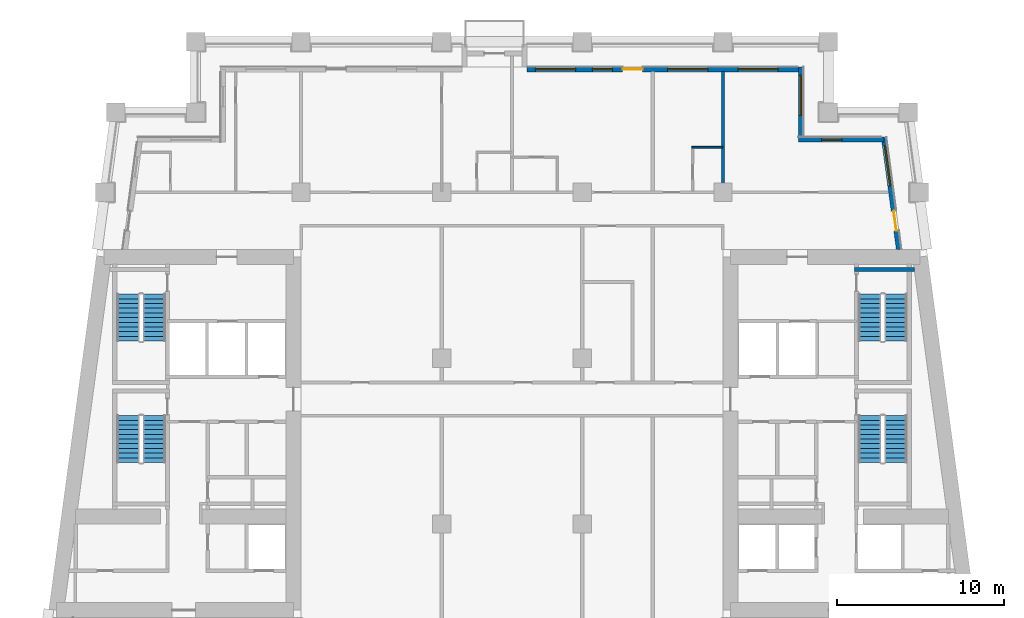
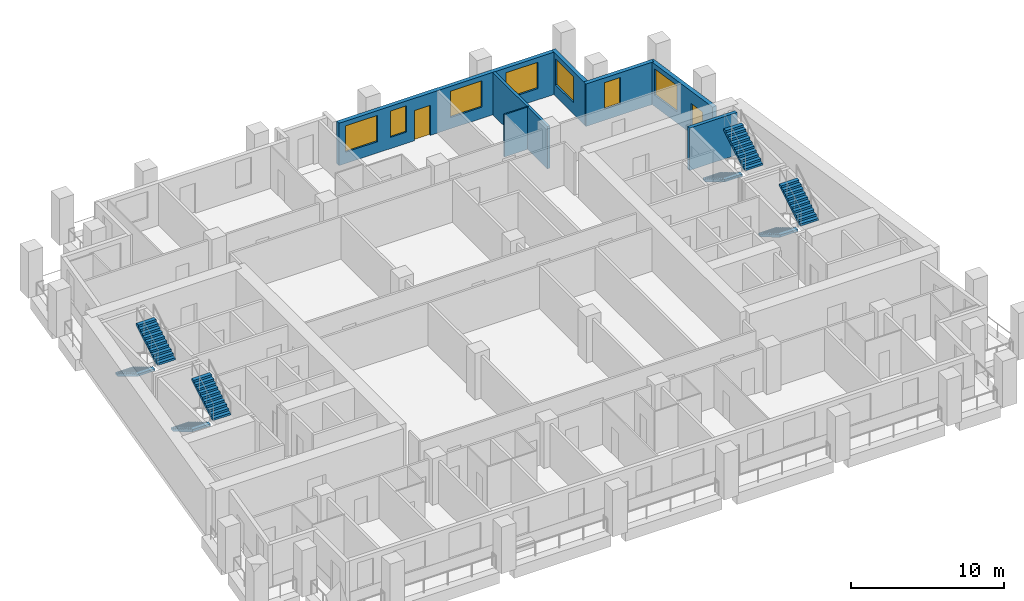
# One storey, part 8 of 13: 8 stair flights, 7 walls, 7 windows, 2 doors, 9 openings, 4 elements without a shape of their own.
"""IFC4 building model written with IfcOpenShell, lengths in metres."""

from ifc_helpers import new_model, si_unit, direction, frame, frame_2d, origin, place, context, subcontext, project, spatial, polyline, rectangle, outline, extrude, material, layer, layer_set, type_object, element, fill, aggregate, save


model = new_model("IFC4")

# Units and contexts
model_context = context("Model", 3, precision=1e-05, world=origin(), true_north=direction((0.0, 1.0)))
body_context = subcontext(model_context, "Body", "Model", "MODEL_VIEW")
ifc_project = project(units=[si_unit("LENGTHUNIT", "METRE"), si_unit("AREAUNIT", "SQUARE_METRE"), si_unit("VOLUMEUNIT", "CUBIC_METRE"), si_unit("PLANEANGLEUNIT", "RADIAN"), si_unit("MASSUNIT", "GRAM", prefix="KILO")], contexts=[model_context])

# Site, building, storey
site_placement = place(None, origin())
site = spatial("IfcSite", under=ifc_project, at=site_placement, CompositionType="ELEMENT")
building_placement = place(site_placement, origin())
building = spatial("IfcBuilding", under=site, at=building_placement, Name="Candeia Pilgrim Tower and Theatre", CompositionType="ELEMENT")
storey_placement = place(building_placement, frame((0.0, 0.0, 155.199951171875)))
storey = spatial("IfcBuildingStorey", under=building, at=storey_placement, Name="L36", CompositionType="ELEMENT", Elevation=155.199951171875)

# Wall, openings, door, window
ifc_material_1 = material(Name="Ceramic block masonry", Category="masonry")
ifc_layer_1 = layer(ifc_material_1, 0.300048828125)
ifc_layer_set_1 = layer_set([ifc_layer_1], Name="EW1 glazing-line wall 300")
wall_type_1 = type_object("IfcWallType", Name="EW1 glazing-line wall 300", PredefinedType="SOLIDWALL", material=ifc_layer_set_1)
wall_1_placement = place(storey_placement, frame((136.50439453125, 132.39990234375, 0.0), z_axis=(0.0, 0.0, 1.0), x_axis=(-0.133399697462, 0.99106231929, 0.0)))
wall_1 = element("IfcWall", 1, at=wall_1_placement, inside=storey, type_object=wall_type_1, Name="External wall L36-3.1", PredefinedType="SOLIDWALL", context=body_context, shape_type="SweptSolid", body=[
    extrude(rectangle(XDim=6.740478515625, YDim=0.300048828125, at=frame_2d((3.3701171875, 0.0))), origin(), (0.0, 0.0, 1.0), 3.380126953125),
])
opening_1_placement = place(wall_1_placement, frame((1.115234375, 0.0, 0.0)))
opening_1 = element("IfcOpeningElement", 2, at=opening_1_placement, cuts=wall_1, Name="Opening L36-ED347", PredefinedType="OPENING", context=body_context, shape_type="SweptSolid", body=[
    extrude(rectangle(XDim=1.199951171875, YDim=2.39990234375, at=frame_2d((0.60009765625, 1.199951171875))), frame((0.0, 0.16015625, 0.0), z_axis=(0.0, -1.0, 0.0), x_axis=(1.0, 0.0, 0.0)), (0.0, 0.0, 1.0), 0.320068359375),
])
opening_2_placement = place(wall_1_placement, frame((3.83544921875, 0.0, 0.89990234375)))
opening_2 = element("IfcOpeningElement", 3, at=opening_2_placement, cuts=wall_1, Name="Opening W-A", PredefinedType="OPENING", context=body_context, shape_type="SweptSolid", body=[
    extrude(rectangle(XDim=2.39990234375, YDim=2.10009765625, at=frame_2d((1.199951171875, 1.050048828125))), frame((0.0, 0.16015625, 0.0), z_axis=(0.0, -1.0, 0.0), x_axis=(1.0, 0.0, 0.0)), (0.0, 0.0, 1.0), 0.320068359375),
])
ifc_material_2 = material(Name="Aluminium framed glazed door", Category="aluminium")
door_type = type_object("IfcDoorType", Name="Loggia door 1200x2400", OperationType="DOUBLE_DOOR_SINGLE_SWING", PredefinedType="DOOR", material=ifc_material_2)
door_1_placement = place(opening_1_placement, origin())
door_1 = element("IfcDoor", 4, at=door_1_placement, inside=storey, type_object=door_type, Name="Loggia door L36-ED347", OperationType="DOUBLE_DOOR_SINGLE_SWING", OverallHeight=2.39990234375, OverallWidth=1.199951171875, PredefinedType="DOOR", context=body_context, shape_type="SweptSolid", body=[
    extrude(rectangle(XDim=1.199951171875, YDim=2.39990234375, at=frame_2d((0.60009765625, 1.199951171875))), frame((0.0, 0.02490234375, 0.0), z_axis=(0.0, -1.0, 0.0), x_axis=(1.0, 0.0, 0.0)), (0.0, 0.0, 1.0), 0.050048828125),
])
fill(opening_1, door_1)
ifc_material_3 = material(Name="Aluminium framed double glazing", Category="aluminium")
window_type_1 = type_object("IfcWindowType", Name="W-A window 2400x2100", PartitioningType="DOUBLE_PANEL_VERTICAL", PredefinedType="WINDOW", material=ifc_material_3)
window_1_placement = place(opening_2_placement, origin())
window_1 = element("IfcWindow", 5, at=window_1_placement, inside=storey, type_object=window_type_1, Name="Window W-A L36", OverallHeight=2.10009765625, OverallWidth=2.39990234375, PartitioningType="SINGLE_PANEL", PredefinedType="WINDOW", context=body_context, shape_type="SweptSolid", body=[
    extrude(rectangle(XDim=2.39990234375, YDim=2.10009765625, at=frame_2d((1.199951171875, 1.050048828125))), frame((0.0, 0.030029296875, 0.0), z_axis=(0.0, -1.0, 0.0), x_axis=(1.0, 0.0, 0.0)), (0.0, 0.0, 1.0), 0.06005859375),
])
fill(opening_2, window_1)

# Wall, opening, window
wall_2_placement = place(storey_placement, frame((135.62255859375, 138.949951171875, 0.0), z_axis=(0.0, 0.0, 1.0), x_axis=(-1.0, 0.0, 0.0)))
wall_2 = element("IfcWall", 6, at=wall_2_placement, inside=storey, type_object=wall_type_1, Name="External wall L36-4.0", PredefinedType="SOLIDWALL", context=body_context, shape_type="SweptSolid", body=[
    extrude(rectangle(XDim=5.12255859375, YDim=0.300048828125, at=frame_2d((2.561279296875, 0.0))), origin(), (0.0, 0.0, 1.0), 3.380126953125),
])
opening_3_placement = place(wall_2_placement, frame((2.522705078125, 0.0, 0.89990234375)))
opening_3 = element("IfcOpeningElement", 7, at=opening_3_placement, cuts=wall_2, Name="Opening W-B", PredefinedType="OPENING", context=body_context, shape_type="SweptSolid", body=[
    extrude(rectangle(XDim=1.199951171875, YDim=2.10009765625, at=frame_2d((0.60009765625, 1.050048828125))), frame((0.0, 0.16015625, 0.0), z_axis=(0.0, -1.0, 0.0), x_axis=(1.0, 0.0, 0.0)), (0.0, 0.0, 1.0), 0.320068359375),
])
window_type_2 = type_object("IfcWindowType", Name="W-B window 1200x2100", PartitioningType="SINGLE_PANEL", PredefinedType="WINDOW", material=ifc_material_3)
window_2_placement = place(opening_3_placement, origin())
window_2 = element("IfcWindow", 8, at=window_2_placement, inside=storey, type_object=window_type_2, Name="Window W-B L36", OverallHeight=2.10009765625, OverallWidth=1.199951171875, PartitioningType="SINGLE_PANEL", PredefinedType="WINDOW", context=body_context, shape_type="SweptSolid", body=[
    extrude(rectangle(XDim=1.199951171875, YDim=2.10009765625, at=frame_2d((0.60009765625, 1.050048828125))), frame((0.0, 0.030029296875, 0.0), z_axis=(0.0, -1.0, 0.0), x_axis=(1.0, 0.0, 0.0)), (0.0, 0.0, 1.0), 0.06005859375),
])
fill(opening_3, window_2)

wall_3_placement = place(storey_placement, frame((130.64990234375, 138.949951171875, 0.0), z_axis=(0.0, 0.0, 1.0), x_axis=(0.0, 1.0, 0.0)))
wall_3 = element("IfcWall", 9, at=wall_3_placement, inside=storey, type_object=wall_type_1, Name="External wall L36-5.0", PredefinedType="SOLIDWALL", context=body_context, shape_type="SweptSolid", body=[
    extrude(rectangle(XDim=4.35009765625, YDim=0.300048828125, at=frame_2d((2.175048828125, 0.0))), origin(), (0.0, 0.0, 1.0), 3.380126953125),
])
opening_4_placement = place(wall_3_placement, frame((1.449951171875, 0.0, 0.89990234375)))
opening_4 = element("IfcOpeningElement", 10, at=opening_4_placement, cuts=wall_3, Name="Opening W-A", PredefinedType="OPENING", context=body_context, shape_type="SweptSolid", body=[
    extrude(rectangle(XDim=2.39990234375, YDim=2.10009765625, at=frame_2d((1.199951171875, 1.050048828125))), frame((0.0, 0.16015625, 0.0), z_axis=(0.0, -1.0, 0.0), x_axis=(1.0, 0.0, 0.0)), (0.0, 0.0, 1.0), 0.320068359375),
])
window_3_placement = place(opening_4_placement, origin())
window_3 = element("IfcWindow", 11, at=window_3_placement, inside=storey, type_object=window_type_1, Name="Window W-A L36", OverallHeight=2.10009765625, OverallWidth=2.39990234375, PartitioningType="SINGLE_PANEL", PredefinedType="WINDOW", context=body_context, shape_type="SweptSolid", body=[
    extrude(rectangle(XDim=2.39990234375, YDim=2.10009765625, at=frame_2d((1.199951171875, 1.050048828125))), frame((0.0, 0.030029296875, 0.0), z_axis=(0.0, -1.0, 0.0), x_axis=(1.0, 0.0, 0.0)), (0.0, 0.0, 1.0), 0.06005859375),
])
fill(opening_4, window_3)

# Wall, openings, door, windows
wall_4_placement = place(storey_placement, frame((130.64990234375, 143.14990234375, 0.0), z_axis=(0.0, 0.0, 1.0), x_axis=(-1.0, 0.0, 0.0)))
wall_4 = element("IfcWall", 12, at=wall_4_placement, inside=storey, type_object=wall_type_1, Name="External wall L36-6.0", PredefinedType="SOLIDWALL", context=body_context, shape_type="SweptSolid", body=[
    extrude(rectangle(XDim=16.349853515625, YDim=0.300048828125, at=frame_2d((8.1748046875, 0.0))), origin(), (0.0, 0.0, 1.0), 3.380126953125),
])
opening_5_placement = place(wall_4_placement, frame((1.35009765625, 0.0, 0.89990234375)))
opening_5 = element("IfcOpeningElement", 13, at=opening_5_placement, cuts=wall_4, Name="Opening W-A", PredefinedType="OPENING", context=body_context, shape_type="SweptSolid", body=[
    extrude(rectangle(XDim=2.39990234375, YDim=2.10009765625, at=frame_2d((1.199951171875, 1.050048828125))), frame((0.0, 0.16015625, 0.0), z_axis=(0.0, -1.0, 0.0), x_axis=(1.0, 0.0, 0.0)), (0.0, 0.0, 1.0), 0.320068359375),
])
opening_6_placement = place(wall_4_placement, frame((5.550048828125, 0.0, 0.89990234375)))
opening_6 = element("IfcOpeningElement", 14, at=opening_6_placement, cuts=wall_4, Name="Opening W-A", PredefinedType="OPENING", context=body_context, shape_type="SweptSolid", body=[
    extrude(rectangle(XDim=2.39990234375, YDim=2.10009765625, at=frame_2d((1.199951171875, 1.050048828125))), frame((0.0, 0.16015625, 0.0), z_axis=(0.0, -1.0, 0.0), x_axis=(1.0, 0.0, 0.0)), (0.0, 0.0, 1.0), 0.320068359375),
])
opening_7_placement = place(wall_4_placement, frame((9.449951171875, 0.0, 0.0)))
opening_7 = element("IfcOpeningElement", 15, at=opening_7_placement, cuts=wall_4, Name="Opening L36-ED348", PredefinedType="OPENING", context=body_context, shape_type="SweptSolid", body=[
    extrude(rectangle(XDim=1.199951171875, YDim=2.39990234375, at=frame_2d((0.60009765625, 1.199951171875))), frame((0.0, 0.16015625, 0.0), z_axis=(0.0, -1.0, 0.0), x_axis=(1.0, 0.0, 0.0)), (0.0, 0.0, 1.0), 0.320068359375),
])
opening_8_placement = place(wall_4_placement, frame((11.25, 0.0, 0.89990234375)))
opening_8 = element("IfcOpeningElement", 16, at=opening_8_placement, cuts=wall_4, Name="Opening W-B", PredefinedType="OPENING", context=body_context, shape_type="SweptSolid", body=[
    extrude(rectangle(XDim=1.199951171875, YDim=2.10009765625, at=frame_2d((0.60009765625, 1.050048828125))), frame((0.0, 0.16015625, 0.0), z_axis=(0.0, -1.0, 0.0), x_axis=(1.0, 0.0, 0.0)), (0.0, 0.0, 1.0), 0.320068359375),
])
opening_9_placement = place(wall_4_placement, frame((13.449951171875, 0.0, 0.89990234375)))
opening_9 = element("IfcOpeningElement", 17, at=opening_9_placement, cuts=wall_4, Name="Opening W-A", PredefinedType="OPENING", context=body_context, shape_type="SweptSolid", body=[
    extrude(rectangle(XDim=2.39990234375, YDim=2.10009765625, at=frame_2d((1.199951171875, 1.050048828125))), frame((0.0, 0.16015625, 0.0), z_axis=(0.0, -1.0, 0.0), x_axis=(1.0, 0.0, 0.0)), (0.0, 0.0, 1.0), 0.320068359375),
])
door_2_placement = place(opening_7_placement, origin())
door_2 = element("IfcDoor", 18, at=door_2_placement, inside=storey, type_object=door_type, Name="Loggia door L36-ED348", OperationType="DOUBLE_DOOR_SINGLE_SWING", OverallHeight=2.39990234375, OverallWidth=1.199951171875, PredefinedType="DOOR", context=body_context, shape_type="SweptSolid", body=[
    extrude(rectangle(XDim=1.199951171875, YDim=2.39990234375, at=frame_2d((0.60009765625, 1.199951171875))), frame((0.0, 0.02490234375, 0.0), z_axis=(0.0, -1.0, 0.0), x_axis=(1.0, 0.0, 0.0)), (0.0, 0.0, 1.0), 0.050048828125),
])
fill(opening_7, door_2)
window_4_placement = place(opening_5_placement, origin())
window_4 = element("IfcWindow", 19, at=window_4_placement, inside=storey, type_object=window_type_1, Name="Window W-A L36", OverallHeight=2.10009765625, OverallWidth=2.39990234375, PartitioningType="SINGLE_PANEL", PredefinedType="WINDOW", context=body_context, shape_type="SweptSolid", body=[
    extrude(rectangle(XDim=2.39990234375, YDim=2.10009765625, at=frame_2d((1.199951171875, 1.050048828125))), frame((0.0, 0.030029296875, 0.0), z_axis=(0.0, -1.0, 0.0), x_axis=(1.0, 0.0, 0.0)), (0.0, 0.0, 1.0), 0.06005859375),
])
fill(opening_5, window_4)
window_5_placement = place(opening_6_placement, origin())
window_5 = element("IfcWindow", 20, at=window_5_placement, inside=storey, type_object=window_type_1, Name="Window W-A L36", OverallHeight=2.10009765625, OverallWidth=2.39990234375, PartitioningType="SINGLE_PANEL", PredefinedType="WINDOW", context=body_context, shape_type="SweptSolid", body=[
    extrude(rectangle(XDim=2.39990234375, YDim=2.10009765625, at=frame_2d((1.199951171875, 1.050048828125))), frame((0.0, 0.030029296875, 0.0), z_axis=(0.0, -1.0, 0.0), x_axis=(1.0, 0.0, 0.0)), (0.0, 0.0, 1.0), 0.06005859375),
])
fill(opening_6, window_5)
window_6_placement = place(opening_9_placement, origin())
window_6 = element("IfcWindow", 21, at=window_6_placement, inside=storey, type_object=window_type_1, Name="Window W-A L36", OverallHeight=2.10009765625, OverallWidth=2.39990234375, PartitioningType="SINGLE_PANEL", PredefinedType="WINDOW", context=body_context, shape_type="SweptSolid", body=[
    extrude(rectangle(XDim=2.39990234375, YDim=2.10009765625, at=frame_2d((1.199951171875, 1.050048828125))), frame((0.0, 0.030029296875, 0.0), z_axis=(0.0, -1.0, 0.0), x_axis=(1.0, 0.0, 0.0)), (0.0, 0.0, 1.0), 0.06005859375),
])
fill(opening_9, window_6)
window_7_placement = place(opening_8_placement, origin())
window_7 = element("IfcWindow", 22, at=window_7_placement, inside=storey, type_object=window_type_2, Name="Window W-B L36", OverallHeight=2.10009765625, OverallWidth=1.199951171875, PartitioningType="SINGLE_PANEL", PredefinedType="WINDOW", context=body_context, shape_type="SweptSolid", body=[
    extrude(rectangle(XDim=1.199951171875, YDim=2.10009765625, at=frame_2d((0.60009765625, 1.050048828125))), frame((0.0, 0.030029296875, 0.0), z_axis=(0.0, -1.0, 0.0), x_axis=(1.0, 0.0, 0.0)), (0.0, 0.0, 1.0), 0.06005859375),
])
fill(opening_8, window_7)

# Walls
ifc_material_4 = material(Name="Gypsum board partition on steel studs", Category="steel")
ifc_layer_2 = layer(ifc_material_4, 0.10009765625)
ifc_layer_set_2 = layer_set([ifc_layer_2], Name="PW-100 room partition")
wall_type_2 = type_object("IfcWallType", Name="PW-100 room partition", PredefinedType="PARTITIONING", material=ifc_layer_set_2)
wall_5_placement = place(storey_placement, frame((124.14990234375, 138.5, 0.0), z_axis=(0.0, 0.0, 1.0), x_axis=(1.0, 0.0, 0.0)))
element("IfcWall", 23, at=wall_5_placement, inside=storey, type_object=wall_type_2, Name="Room partition L36-046", PredefinedType="PARTITIONING", context=body_context, shape_type="SweptSolid", body=[
    extrude(rectangle(XDim=1.85009765625, YDim=0.10009765625, at=frame_2d((0.925048828125, 0.0))), origin(), (0.0, 0.0, 1.0), 3.380126953125),
])
ifc_layer_3 = layer(ifc_material_4, 0.199951171875)
ifc_layer_set_3 = layer_set([ifc_layer_3], Name="PW-200 party wall")
wall_type_3 = type_object("IfcWallType", Name="PW-200 party wall", PredefinedType="PARTITIONING", material=ifc_layer_set_3)
wall_6_placement = place(storey_placement, frame((126.0, 135.875, 0.0), z_axis=(0.0, 0.0, 1.0), x_axis=(0.0, 1.0, 0.0)))
element("IfcWall", 24, at=wall_6_placement, inside=storey, type_object=wall_type_3, Name="Party wall L36-096", PredefinedType="PARTITIONING", context=body_context, shape_type="SweptSolid", body=[
    extrude(rectangle(XDim=7.135009765625, YDim=0.199951171875, at=frame_2d((3.5673828125, 0.0))), origin(), (0.0, 0.0, 1.0), 3.380126953125),
])
ifc_material_5 = material(Name="Concrete C40/50", Category="concrete")
ifc_layer_4 = layer(ifc_material_5, 0.25)
ifc_layer_set_4 = layer_set([ifc_layer_4], Name="SW-250 stair wall")
wall_type_4 = type_object("IfcWallType", Name="SW-250 stair wall", PredefinedType="PARTITIONING", material=ifc_layer_set_4)
wall_7_placement = place(storey_placement, frame((133.847900390625, 131.199951171875, 0.0), z_axis=(0.0, 0.0, 1.0), x_axis=(1.0, 0.0, 0.0)))
element("IfcWall", 25, at=wall_7_placement, inside=storey, type_object=wall_type_4, Name="Stair wall L36-040", PredefinedType="PARTITIONING", context=body_context, shape_type="SweptSolid", body=[
    extrude(rectangle(XDim=3.604736328125, YDim=0.25, at=frame_2d((1.80224609375, 0.0))), origin(), (0.0, 0.0, 1.0), 3.380126953125),
])

# Stair, stair flights
stair_type = type_object("IfcStairType", Name="ST-TWR dog-leg escape stair", PredefinedType="HALF_TURN_STAIR", material=ifc_material_5)
stair_1_placement = place(storey_placement, origin())
stair_1 = element("IfcStair", 26, at=stair_1_placement, inside=storey, type_object=stair_type, Name="L36 Escape stair ST1", PredefinedType="HALF_TURN_STAIR")
stair_flight_type = type_object("IfcStairFlightType", Name="SFL-RC stair flight", PredefinedType="STRAIGHT", material=ifc_material_5)
stair_flight_1_placement = place(storey_placement, frame((90.47705078125, 122.47509765625, 0.0), z_axis=(0.0, 0.0, 1.0), x_axis=(0.0, -1.0, 0.0)))
stair_flight_1 = element("IfcStairFlight", 27, at=stair_flight_1_placement, type_object=stair_flight_type, Name="ST1 flight 1", NumberOfRisers=11, NumberOfTreads=10, PredefinedType="STRAIGHT", RiserHeight=0.168181818, TreadLength=0.28, context=body_context, shape_type="SweptSolid", body=[
    extrude(outline(polyline([(0.0, 0.0), (0.0, 0.168212890625), (0.280029296875, 0.168212890625), (0.280029296875, 0.33642578125), (0.56005859375, 0.33642578125), (0.56005859375, 0.504638671875), (0.840087890625, 0.504638671875), (0.840087890625, 0.672607421875), (1.1201171875, 0.672607421875), (1.1201171875, 0.8408203125), (1.39990234375, 0.8408203125), (1.39990234375, 1.009033203125), (1.679931640625, 1.009033203125), (1.679931640625, 1.17724609375), (1.9599609375, 1.17724609375), (1.9599609375, 1.345458984375), (2.239990234375, 1.345458984375), (2.239990234375, 1.513671875), (2.52001953125, 1.513671875), (2.52001953125, 1.681884765625), (2.800048828125, 1.681884765625), (2.800048828125, 1.85009765625), (2.800048828125, 1.5068359375), (0.291015625, 0.0), (0.0, 0.0)])), frame((0.0, 0.675048828125, 0.0), z_axis=(0.0, -1.0, 0.0), x_axis=(1.0, 0.0, 0.0)), (0.0, 0.0, 1.0), 1.35009765625),
])
stair_flight_2_placement = place(storey_placement, frame((92.027099609375, 119.675048828125, 1.85009765625), z_axis=(0.0, 0.0, 1.0), x_axis=(0.0, 1.0, 0.0)))
stair_flight_2 = element("IfcStairFlight", 28, at=stair_flight_2_placement, type_object=stair_flight_type, Name="ST1 flight 2", NumberOfRisers=11, NumberOfTreads=10, PredefinedType="STRAIGHT", RiserHeight=0.168181818, TreadLength=0.28, context=body_context, shape_type="SweptSolid", body=[
    extrude(outline(polyline([(0.0, 0.0), (0.0, 0.168212890625), (0.280029296875, 0.168212890625), (0.280029296875, 0.33642578125), (0.56005859375, 0.33642578125), (0.56005859375, 0.504638671875), (0.840087890625, 0.504638671875), (0.840087890625, 0.672607421875), (1.1201171875, 0.672607421875), (1.1201171875, 0.8408203125), (1.39990234375, 0.8408203125), (1.39990234375, 1.009033203125), (1.679931640625, 1.009033203125), (1.679931640625, 1.17724609375), (1.9599609375, 1.17724609375), (1.9599609375, 1.345458984375), (2.239990234375, 1.345458984375), (2.239990234375, 1.513671875), (2.52001953125, 1.513671875), (2.52001953125, 1.681884765625), (2.800048828125, 1.681884765625), (2.800048828125, 1.85009765625), (2.800048828125, 1.5068359375), (0.291015625, 0.0), (0.0, 0.0)])), frame((0.0, 0.675048828125, 0.0), z_axis=(0.0, -1.0, 0.0), x_axis=(1.0, 0.0, 0.0)), (0.0, 0.0, 1.0), 1.35009765625),
])
aggregate(stair_1, [stair_flight_1, stair_flight_2])

stair_2_placement = place(storey_placement, origin())
stair_2 = element("IfcStair", 29, at=stair_2_placement, inside=storey, type_object=stair_type, Name="L36 Escape stair ST2", PredefinedType="HALF_TURN_STAIR")
stair_flight_3_placement = place(storey_placement, frame((90.47705078125, 129.72509765625, 0.0), z_axis=(0.0, 0.0, 1.0), x_axis=(0.0, -1.0, 0.0)))
stair_flight_3 = element("IfcStairFlight", 30, at=stair_flight_3_placement, type_object=stair_flight_type, Name="ST2 flight 1", NumberOfRisers=11, NumberOfTreads=10, PredefinedType="STRAIGHT", RiserHeight=0.168181818, TreadLength=0.28, context=body_context, shape_type="SweptSolid", body=[
    extrude(outline(polyline([(0.0, 0.0), (0.0, 0.168212890625), (0.280029296875, 0.168212890625), (0.280029296875, 0.33642578125), (0.56005859375, 0.33642578125), (0.56005859375, 0.504638671875), (0.840087890625, 0.504638671875), (0.840087890625, 0.672607421875), (1.1201171875, 0.672607421875), (1.1201171875, 0.8408203125), (1.39990234375, 0.8408203125), (1.39990234375, 1.009033203125), (1.679931640625, 1.009033203125), (1.679931640625, 1.17724609375), (1.9599609375, 1.17724609375), (1.9599609375, 1.345458984375), (2.239990234375, 1.345458984375), (2.239990234375, 1.513671875), (2.52001953125, 1.513671875), (2.52001953125, 1.681884765625), (2.800048828125, 1.681884765625), (2.800048828125, 1.85009765625), (2.800048828125, 1.5068359375), (0.291015625, 0.0), (0.0, 0.0)])), frame((0.0, 0.675048828125, 0.0), z_axis=(0.0, -1.0, 0.0), x_axis=(1.0, 0.0, 0.0)), (0.0, 0.0, 1.0), 1.35009765625),
])
stair_flight_4_placement = place(storey_placement, frame((92.027099609375, 126.925048828125, 1.85009765625), z_axis=(0.0, 0.0, 1.0), x_axis=(0.0, 1.0, 0.0)))
stair_flight_4 = element("IfcStairFlight", 31, at=stair_flight_4_placement, type_object=stair_flight_type, Name="ST2 flight 2", NumberOfRisers=11, NumberOfTreads=10, PredefinedType="STRAIGHT", RiserHeight=0.168181818, TreadLength=0.28, context=body_context, shape_type="SweptSolid", body=[
    extrude(outline(polyline([(0.0, 0.0), (0.0, 0.168212890625), (0.280029296875, 0.168212890625), (0.280029296875, 0.33642578125), (0.56005859375, 0.33642578125), (0.56005859375, 0.504638671875), (0.840087890625, 0.504638671875), (0.840087890625, 0.672607421875), (1.1201171875, 0.672607421875), (1.1201171875, 0.8408203125), (1.39990234375, 0.8408203125), (1.39990234375, 1.009033203125), (1.679931640625, 1.009033203125), (1.679931640625, 1.17724609375), (1.9599609375, 1.17724609375), (1.9599609375, 1.345458984375), (2.239990234375, 1.345458984375), (2.239990234375, 1.513671875), (2.52001953125, 1.513671875), (2.52001953125, 1.681884765625), (2.800048828125, 1.681884765625), (2.800048828125, 1.85009765625), (2.800048828125, 1.5068359375), (0.291015625, 0.0), (0.0, 0.0)])), frame((0.0, 0.675048828125, 0.0), z_axis=(0.0, -1.0, 0.0), x_axis=(1.0, 0.0, 0.0)), (0.0, 0.0, 1.0), 1.35009765625),
])
aggregate(stair_2, [stair_flight_3, stair_flight_4])

stair_3_placement = place(storey_placement, origin())
stair_3 = element("IfcStair", 32, at=stair_3_placement, inside=storey, type_object=stair_type, Name="L36 Escape stair ST3", PredefinedType="HALF_TURN_STAIR")
stair_flight_5_placement = place(storey_placement, frame((134.77294921875, 122.47509765625, 0.0), z_axis=(0.0, 0.0, 1.0), x_axis=(0.0, -1.0, 0.0)))
stair_flight_5 = element("IfcStairFlight", 33, at=stair_flight_5_placement, type_object=stair_flight_type, Name="ST3 flight 1", NumberOfRisers=11, NumberOfTreads=10, PredefinedType="STRAIGHT", RiserHeight=0.168181818, TreadLength=0.28, context=body_context, shape_type="SweptSolid", body=[
    extrude(outline(polyline([(0.0, 0.0), (0.0, 0.168212890625), (0.280029296875, 0.168212890625), (0.280029296875, 0.33642578125), (0.56005859375, 0.33642578125), (0.56005859375, 0.504638671875), (0.840087890625, 0.504638671875), (0.840087890625, 0.672607421875), (1.1201171875, 0.672607421875), (1.1201171875, 0.8408203125), (1.39990234375, 0.8408203125), (1.39990234375, 1.009033203125), (1.679931640625, 1.009033203125), (1.679931640625, 1.17724609375), (1.9599609375, 1.17724609375), (1.9599609375, 1.345458984375), (2.239990234375, 1.345458984375), (2.239990234375, 1.513671875), (2.52001953125, 1.513671875), (2.52001953125, 1.681884765625), (2.800048828125, 1.681884765625), (2.800048828125, 1.85009765625), (2.800048828125, 1.5068359375), (0.291015625, 0.0), (0.0, 0.0)])), frame((0.0, 0.675048828125, 0.0), z_axis=(0.0, -1.0, 0.0), x_axis=(1.0, 0.0, 0.0)), (0.0, 0.0, 1.0), 1.35009765625),
])
stair_flight_6_placement = place(storey_placement, frame((136.322998046875, 119.675048828125, 1.85009765625), z_axis=(0.0, 0.0, 1.0), x_axis=(0.0, 1.0, 0.0)))
stair_flight_6 = element("IfcStairFlight", 34, at=stair_flight_6_placement, type_object=stair_flight_type, Name="ST3 flight 2", NumberOfRisers=11, NumberOfTreads=10, PredefinedType="STRAIGHT", RiserHeight=0.168181818, TreadLength=0.28, context=body_context, shape_type="SweptSolid", body=[
    extrude(outline(polyline([(0.0, 0.0), (0.0, 0.168212890625), (0.280029296875, 0.168212890625), (0.280029296875, 0.33642578125), (0.56005859375, 0.33642578125), (0.56005859375, 0.504638671875), (0.840087890625, 0.504638671875), (0.840087890625, 0.672607421875), (1.1201171875, 0.672607421875), (1.1201171875, 0.8408203125), (1.39990234375, 0.8408203125), (1.39990234375, 1.009033203125), (1.679931640625, 1.009033203125), (1.679931640625, 1.17724609375), (1.9599609375, 1.17724609375), (1.9599609375, 1.345458984375), (2.239990234375, 1.345458984375), (2.239990234375, 1.513671875), (2.52001953125, 1.513671875), (2.52001953125, 1.681884765625), (2.800048828125, 1.681884765625), (2.800048828125, 1.85009765625), (2.800048828125, 1.5068359375), (0.291015625, 0.0), (0.0, 0.0)])), frame((0.0, 0.675048828125, 0.0), z_axis=(0.0, -1.0, 0.0), x_axis=(1.0, 0.0, 0.0)), (0.0, 0.0, 1.0), 1.35009765625),
])
aggregate(stair_3, [stair_flight_5, stair_flight_6])

stair_4_placement = place(storey_placement, origin())
stair_4 = element("IfcStair", 35, at=stair_4_placement, inside=storey, type_object=stair_type, Name="L36 Escape stair ST4", PredefinedType="HALF_TURN_STAIR")
stair_flight_7_placement = place(storey_placement, frame((134.77294921875, 129.72509765625, 0.0), z_axis=(0.0, 0.0, 1.0), x_axis=(0.0, -1.0, 0.0)))
stair_flight_7 = element("IfcStairFlight", 36, at=stair_flight_7_placement, type_object=stair_flight_type, Name="ST4 flight 1", NumberOfRisers=11, NumberOfTreads=10, PredefinedType="STRAIGHT", RiserHeight=0.168181818, TreadLength=0.28, context=body_context, shape_type="SweptSolid", body=[
    extrude(outline(polyline([(0.0, 0.0), (0.0, 0.168212890625), (0.280029296875, 0.168212890625), (0.280029296875, 0.33642578125), (0.56005859375, 0.33642578125), (0.56005859375, 0.504638671875), (0.840087890625, 0.504638671875), (0.840087890625, 0.672607421875), (1.1201171875, 0.672607421875), (1.1201171875, 0.8408203125), (1.39990234375, 0.8408203125), (1.39990234375, 1.009033203125), (1.679931640625, 1.009033203125), (1.679931640625, 1.17724609375), (1.9599609375, 1.17724609375), (1.9599609375, 1.345458984375), (2.239990234375, 1.345458984375), (2.239990234375, 1.513671875), (2.52001953125, 1.513671875), (2.52001953125, 1.681884765625), (2.800048828125, 1.681884765625), (2.800048828125, 1.85009765625), (2.800048828125, 1.5068359375), (0.291015625, 0.0), (0.0, 0.0)])), frame((0.0, 0.675048828125, 0.0), z_axis=(0.0, -1.0, 0.0), x_axis=(1.0, 0.0, 0.0)), (0.0, 0.0, 1.0), 1.35009765625),
])
stair_flight_8_placement = place(storey_placement, frame((136.322998046875, 126.925048828125, 1.85009765625), z_axis=(0.0, 0.0, 1.0), x_axis=(0.0, 1.0, 0.0)))
stair_flight_8 = element("IfcStairFlight", 37, at=stair_flight_8_placement, type_object=stair_flight_type, Name="ST4 flight 2", NumberOfRisers=11, NumberOfTreads=10, PredefinedType="STRAIGHT", RiserHeight=0.168181818, TreadLength=0.28, context=body_context, shape_type="SweptSolid", body=[
    extrude(outline(polyline([(0.0, 0.0), (0.0, 0.168212890625), (0.280029296875, 0.168212890625), (0.280029296875, 0.33642578125), (0.56005859375, 0.33642578125), (0.56005859375, 0.504638671875), (0.840087890625, 0.504638671875), (0.840087890625, 0.672607421875), (1.1201171875, 0.672607421875), (1.1201171875, 0.8408203125), (1.39990234375, 0.8408203125), (1.39990234375, 1.009033203125), (1.679931640625, 1.009033203125), (1.679931640625, 1.17724609375), (1.9599609375, 1.17724609375), (1.9599609375, 1.345458984375), (2.239990234375, 1.345458984375), (2.239990234375, 1.513671875), (2.52001953125, 1.513671875), (2.52001953125, 1.681884765625), (2.800048828125, 1.681884765625), (2.800048828125, 1.85009765625), (2.800048828125, 1.5068359375), (0.291015625, 0.0), (0.0, 0.0)])), frame((0.0, 0.675048828125, 0.0), z_axis=(0.0, -1.0, 0.0), x_axis=(1.0, 0.0, 0.0)), (0.0, 0.0, 1.0), 1.35009765625),
])
aggregate(stair_4, [stair_flight_7, stair_flight_8])

save(model, "model.ifc")
